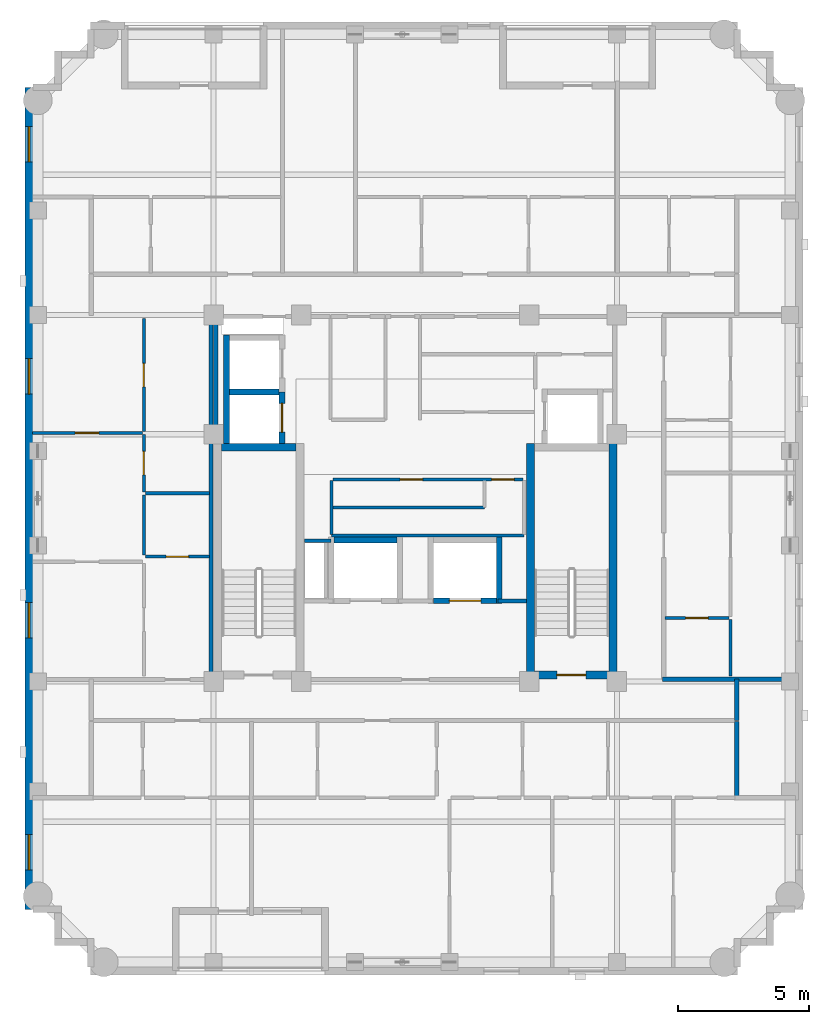
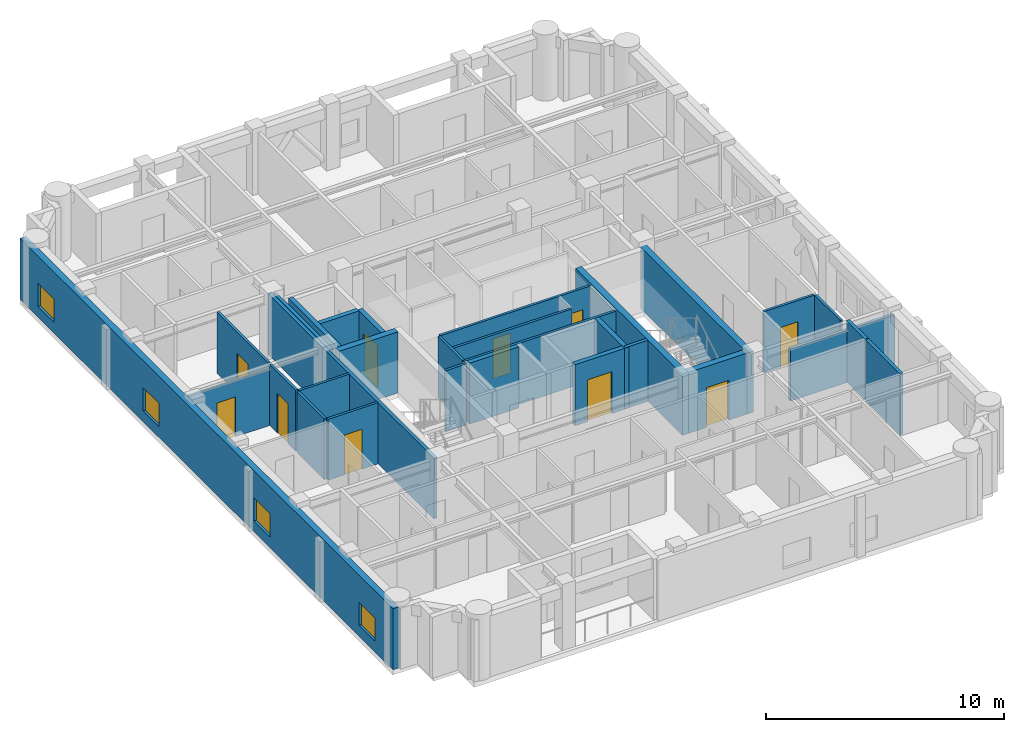
# One storey, part 4 of 10: 30 walls, 10 doors, 4 windows, 14 openings.
"""IFC4 building model written with IfcOpenShell, lengths in metres."""

from ifc_helpers import new_model, si_unit, derived_unit, direction, frame, frame_2d, origin, place, context, subcontext, project, spatial, rectangle, extrude, material, layer, layer_set, type_object, element, fill, save


model = new_model("IFC4")

# Units and contexts
model_context = context("Model", 3, precision=1e-05, world=origin(), true_north=direction((0.0, 1.0)))
body_context = subcontext(model_context, "Body", "Model", "MODEL_VIEW")
ifc_project = project(units=[si_unit("LENGTHUNIT", "METRE"), si_unit("AREAUNIT", "SQUARE_METRE"), si_unit("VOLUMEUNIT", "CUBIC_METRE"), si_unit("PLANEANGLEUNIT", "RADIAN"), si_unit("MASSUNIT", "GRAM", prefix="KILO"), derived_unit("THERMALTRANSMITTANCEUNIT", [(si_unit("MASSUNIT", "GRAM", prefix="KILO"), 1), (si_unit("TIMEUNIT", "SECOND"), -3), (si_unit("THERMODYNAMICTEMPERATUREUNIT", "KELVIN"), -1)])], contexts=[model_context])

# Site, building, storey
site_placement = place(None, origin())
site = spatial("IfcSite", under=ifc_project, at=site_placement, CompositionType="ELEMENT")
building_placement = place(site_placement, origin())
building = spatial("IfcBuilding", under=site, at=building_placement, Name="Korrvale Station Residences", CompositionType="ELEMENT")
storey_placement = place(building_placement, frame((0.0, 0.0, 220.699951171875)))
storey = spatial("IfcBuildingStorey", under=building, at=storey_placement, Name="L64", CompositionType="ELEMENT", Elevation=220.699951171875)

# Walls
ifc_material_1 = material(Name="Concrete C50/60", Category="concrete")
ifc_layer_1 = layer(ifc_material_1, 0.300048828125, Name="Concrete C50/60")
ifc_layer_set_1 = layer_set([ifc_layer_1], Name="Concrete C50/60")
wall_type_1 = type_object("IfcWallType", Name="WAL-CORE-300-C50", PredefinedType="SHEAR", material=ifc_layer_set_1)
wall_1_placement = place(storey_placement, frame((18.10009765625, 23.949951171875, 0.0), z_axis=(0.0, 0.0, 1.0), x_axis=(1.0, 0.0, 0.0)))
element("IfcWall", 1, at=wall_1_placement, inside=storey, type_object=wall_type_1, Name="L64 ST-1 Core Shear Wall North", PredefinedType="SHEAR", context=body_context, shape_type="SweptSolid", body=[
    extrude(rectangle(XDim=2.849853515625, YDim=0.300048828125, at=frame_2d((1.4248046875, 0.0))), origin(), (0.0, 0.0, 1.0), 3.14013671875),
])
for number, where, z_axis, x_axis, name in (
    (2, (29.89990234375, 15.10009765625, 0.0), (0.0, 0.0, 1.0), (0.0, 1.0, 0.0), "L64 ST-2 Core Shear Wall West"),
    (3, (33.050048828125, 15.10009765625, 0.0), (0.0, 0.0, 1.0), (0.0, 1.0, 0.0), "L64 ST-2 Core Shear Wall East"),
):
    element("IfcWall", number, at=place(storey_placement, frame(where, z_axis=z_axis, x_axis=x_axis)), inside=storey, type_object=wall_type_1, Name=name, PredefinedType="SHEAR", context=body_context, shape_type="SweptSolid", body=[
        extrude(rectangle(XDim=9.0, YDim=0.300048828125, at=frame_2d((4.5, 0.0))), origin(), (0.0, 0.0, 1.0), 3.14013671875),
    ])

# Wall, opening, door
wall_2_placement = place(storey_placement, frame((30.050048828125, 15.25, 0.0), z_axis=(0.0, 0.0, 1.0), x_axis=(1.0, 0.0, 0.0)))
wall_2 = element("IfcWall", 4, at=wall_2_placement, inside=storey, type_object=wall_type_1, Name="L64 ST-2 Core Shear Wall South", PredefinedType="SHEAR", context=body_context, shape_type="SweptSolid", body=[
    extrude(rectangle(XDim=2.849853515625, YDim=0.300048828125, at=frame_2d((1.4248046875, 0.0))), origin(), (0.0, 0.0, 1.0), 3.14013671875),
])
opening_1_placement = place(wall_2_placement, frame((0.860107421875, 0.0, 0.0)))
opening_1 = element("IfcOpeningElement", 5, at=opening_1_placement, cuts=wall_2, Name="Opening SD-1100", PredefinedType="OPENING", context=body_context, shape_type="SweptSolid", body=[
    extrude(rectangle(XDim=1.10009765625, YDim=2.050048828125, at=frame_2d((0.550048828125, 1.02490234375))), frame((0.0, 0.16015625, 0.0), z_axis=(0.0, -1.0, 0.0), x_axis=(1.0, 0.0, 0.0)), (0.0, 0.0, 1.0), 0.320068359375),
])
ifc_material_2 = material(Name="Hollow-metal fire-rated stair door with closer", Category="steel")
door_type_1 = type_object("IfcDoorType", Name="DR-STAIR-1100", OperationType="NOTDEFINED", PredefinedType="DOOR", material=ifc_material_2)
door_1_placement = place(opening_1_placement, origin())
door_1 = element("IfcDoor", 6, at=door_1_placement, inside=storey, type_object=door_type_1, Name="L64 ST-2 Exit Stair Door", OperationType="SINGLE_SWING_RIGHT", OverallHeight=2.050048828125, OverallWidth=1.10009765625, PredefinedType="DOOR", context=body_context, shape_type="SweptSolid", body=[
    extrude(rectangle(XDim=1.10009765625, YDim=2.050048828125, at=frame_2d((0.550048828125, 1.02490234375))), frame((0.0, 0.02490234375, 0.0), z_axis=(0.0, -1.0, 0.0), x_axis=(1.0, 0.0, 0.0)), (0.0, 0.0, 1.0), 0.050048828125),
])
fill(opening_1, door_1)

# Wall, openings, windows
ifc_material_3 = material(Name="Precast concrete C45/55", Category="concrete")
ifc_layer_2 = layer(ifc_material_3, 0.300048828125, Name="Precast concrete C45/55")
ifc_layer_set_2 = layer_set([ifc_layer_2], Name="Precast concrete C45/55")
wall_type_2 = type_object("IfcWallType", Name="WAL-EXT-PC300", PredefinedType="SOLIDWALL", material=ifc_layer_set_2)
wall_3_placement = place(storey_placement, frame((10.75, 6.300048828125, 0.0), z_axis=(0.0, 0.0, 1.0), x_axis=(0.0, 1.0, 0.0)))
wall_3 = element("IfcWall", 7, at=wall_3_placement, inside=storey, type_object=wall_type_2, Name="L64 West Exterior Precast Wall 1", PredefinedType="SOLIDWALL", context=body_context, shape_type="SweptSolid", body=[
    extrude(rectangle(XDim=31.39990234375, YDim=0.300048828125, at=frame_2d((15.699951171875, 0.0))), origin(), (0.0, 0.0, 1.0), 3.14013671875),
])
opening_2_placement = place(wall_3_placement, frame((1.50390625, 0.0, 0.550048828125)))
opening_2 = element("IfcOpeningElement", 8, at=opening_2_placement, cuts=wall_3, Name="Opening W-10", PredefinedType="OPENING", context=body_context, shape_type="SweptSolid", body=[
    extrude(rectangle(XDim=1.35009765625, YDim=1.199951171875, at=frame_2d((0.675048828125, 0.60009765625))), frame((0.0, 0.16015625, 0.0), z_axis=(0.0, -1.0, 0.0), x_axis=(1.0, 0.0, 0.0)), (0.0, 0.0, 1.0), 0.320068359375),
])
opening_3_placement = place(wall_3_placement, frame((28.5458984375, 0.0, 0.550048828125)))
opening_3 = element("IfcOpeningElement", 9, at=opening_3_placement, cuts=wall_3, Name="Opening W-10", PredefinedType="OPENING", context=body_context, shape_type="SweptSolid", body=[
    extrude(rectangle(XDim=1.35009765625, YDim=1.199951171875, at=frame_2d((0.675048828125, 0.60009765625))), frame((0.0, 0.16015625, 0.0), z_axis=(0.0, -1.0, 0.0), x_axis=(1.0, 0.0, 0.0)), (0.0, 0.0, 1.0), 0.320068359375),
])
opening_4_placement = place(wall_3_placement, frame((10.366943359375, 0.0, 0.550048828125)))
opening_4 = element("IfcOpeningElement", 10, at=opening_4_placement, cuts=wall_3, Name="Opening W-10", PredefinedType="OPENING", context=body_context, shape_type="SweptSolid", body=[
    extrude(rectangle(XDim=1.35009765625, YDim=1.199951171875, at=frame_2d((0.675048828125, 0.60009765625))), frame((0.0, 0.16015625, 0.0), z_axis=(0.0, -1.0, 0.0), x_axis=(1.0, 0.0, 0.0)), (0.0, 0.0, 1.0), 0.320068359375),
])
opening_5_placement = place(wall_3_placement, frame((19.68310546875, 0.0, 0.550048828125)))
opening_5 = element("IfcOpeningElement", 11, at=opening_5_placement, cuts=wall_3, Name="Opening W-10", PredefinedType="OPENING", context=body_context, shape_type="SweptSolid", body=[
    extrude(rectangle(XDim=1.35009765625, YDim=1.199951171875, at=frame_2d((0.675048828125, 0.60009765625))), frame((0.0, 0.16015625, 0.0), z_axis=(0.0, -1.0, 0.0), x_axis=(1.0, 0.0, 0.0)), (0.0, 0.0, 1.0), 0.320068359375),
])
ifc_material_4 = material(Name="Thermally broken aluminium frame with triple low-e glazing", Category="aluminium")
window_type = type_object("IfcWindowType", Name="WIN-W10", PartitioningType="SINGLE_PANEL", PredefinedType="WINDOW", material=ifc_material_4)
window_1_placement = place(opening_2_placement, origin())
window_1 = element("IfcWindow", 12, at=window_1_placement, inside=storey, type_object=window_type, Name="L64 Punched Window 01", OverallHeight=1.199951171875, OverallWidth=1.35009765625, PartitioningType="SINGLE_PANEL", PredefinedType="WINDOW", context=body_context, shape_type="SweptSolid", body=[
    extrude(rectangle(XDim=1.35009765625, YDim=1.199951171875, at=frame_2d((0.675048828125, 0.60009765625))), frame((0.0, 0.030029296875, 0.0), z_axis=(0.0, -1.0, 0.0), x_axis=(1.0, 0.0, 0.0)), (0.0, 0.0, 1.0), 0.06005859375),
])
fill(opening_2, window_1)
window_2_placement = place(opening_3_placement, origin())
window_2 = element("IfcWindow", 13, at=window_2_placement, inside=storey, type_object=window_type, Name="L64 Punched Window 06", OverallHeight=1.199951171875, OverallWidth=1.35009765625, PartitioningType="SINGLE_PANEL", PredefinedType="WINDOW", context=body_context, shape_type="SweptSolid", body=[
    extrude(rectangle(XDim=1.35009765625, YDim=1.199951171875, at=frame_2d((0.675048828125, 0.60009765625))), frame((0.0, 0.030029296875, 0.0), z_axis=(0.0, -1.0, 0.0), x_axis=(1.0, 0.0, 0.0)), (0.0, 0.0, 1.0), 0.06005859375),
])
fill(opening_3, window_2)
window_3_placement = place(opening_4_placement, origin())
window_3 = element("IfcWindow", 14, at=window_3_placement, inside=storey, type_object=window_type, Name="L64 Punched Window 09", OverallHeight=1.199951171875, OverallWidth=1.35009765625, PartitioningType="SINGLE_PANEL", PredefinedType="WINDOW", context=body_context, shape_type="SweptSolid", body=[
    extrude(rectangle(XDim=1.35009765625, YDim=1.199951171875, at=frame_2d((0.675048828125, 0.60009765625))), frame((0.0, 0.030029296875, 0.0), z_axis=(0.0, -1.0, 0.0), x_axis=(1.0, 0.0, 0.0)), (0.0, 0.0, 1.0), 0.06005859375),
])
fill(opening_4, window_3)
window_4_placement = place(opening_5_placement, origin())
window_4 = element("IfcWindow", 15, at=window_4_placement, inside=storey, type_object=window_type, Name="L64 Punched Window 10", OverallHeight=1.199951171875, OverallWidth=1.35009765625, PartitioningType="SINGLE_PANEL", PredefinedType="WINDOW", context=body_context, shape_type="SweptSolid", body=[
    extrude(rectangle(XDim=1.35009765625, YDim=1.199951171875, at=frame_2d((0.675048828125, 0.60009765625))), frame((0.0, 0.030029296875, 0.0), z_axis=(0.0, -1.0, 0.0), x_axis=(1.0, 0.0, 0.0)), (0.0, 0.0, 1.0), 0.06005859375),
])
fill(opening_5, window_4)

# Walls
ifc_material_5 = material(Name="Acoustic steel-stud gypsum board partition", Category="steel")
ifc_layer_3 = layer(ifc_material_5, 0.1201171875, Name="Acoustic steel-stud gypsum board partition")
ifc_layer_set_3 = layer_set([ifc_layer_3], Name="Acoustic steel-stud gypsum board partition")
wall_type_3 = type_object("IfcWallType", Name="WAL-PART-125", PredefinedType="PARTITIONING", material=ifc_layer_set_3)
wall_4_placement = place(storey_placement, frame((22.280029296875, 20.3798828125, 0.0), z_axis=(0.0, 0.0, 1.0), x_axis=(-1.0, 0.0, 0.0)))
element("IfcWall", 16, at=wall_4_placement, inside=storey, type_object=wall_type_3, Name="L64 Core Partition CW-RSWT-N", PredefinedType="PARTITIONING", context=body_context, shape_type="SweptSolid", body=[
    extrude(rectangle(XDim=1.02001953125, YDim=0.1201171875, at=frame_2d((0.510009765625, 0.0))), origin(), (0.0, 0.0, 1.0), 3.14013671875),
])
wall_5_placement = place(storey_placement, frame((22.300048828125, 20.580078125, 0.0), z_axis=(0.0, 0.0, 1.0), x_axis=(1.0, 0.0, 0.0)))
element("IfcWall", 17, at=wall_5_placement, inside=storey, type_object=wall_type_3, Name="L64 Core Partition CW-FPM-S", PredefinedType="PARTITIONING", context=body_context, shape_type="SweptSolid", body=[
    extrude(rectangle(XDim=7.349853515625, YDim=0.1201171875, at=frame_2d((3.6748046875, 0.0))), origin(), (0.0, 0.0, 1.0), 3.14013671875),
])
wall_6_placement = place(storey_placement, frame((22.300048828125, 20.6201171875, 0.0), z_axis=(0.0, 0.0, 1.0), x_axis=(0.0, 1.0, 0.0)))
element("IfcWall", 18, at=wall_6_placement, inside=storey, type_object=wall_type_3, Name="L64 Core Partition CW-FPM-W", PredefinedType="PARTITIONING", context=body_context, shape_type="SweptSolid", body=[
    extrude(rectangle(XDim=2.059814453125, YDim=0.1201171875, at=frame_2d((1.02978515625, 0.0))), origin(), (0.0, 0.0, 1.0), 3.14013671875),
])
wall_7_placement = place(storey_placement, frame((22.35009765625, 21.64990234375, 0.0), z_axis=(0.0, 0.0, 1.0), x_axis=(1.0, 0.0, 0.0)))
element("IfcWall", 19, at=wall_7_placement, inside=storey, type_object=wall_type_3, Name="L64 Core Partition CW-FPM-H1", PredefinedType="PARTITIONING", context=body_context, shape_type="SweptSolid", body=[
    extrude(rectangle(XDim=5.789794921875, YDim=0.1201171875, at=frame_2d((2.89501953125, 0.0))), origin(), (0.0, 0.0, 1.0), 3.14013671875),
])

# Wall, openings, doors
wall_8_placement = place(storey_placement, frame((22.35009765625, 22.719970703125, 0.0), z_axis=(0.0, 0.0, 1.0), x_axis=(1.0, 0.0, 0.0)))
wall_8 = element("IfcWall", 20, at=wall_8_placement, inside=storey, type_object=wall_type_3, Name="L64 Core Partition CW-FPM-N", PredefinedType="PARTITIONING", context=body_context, shape_type="SweptSolid", body=[
    extrude(rectangle(XDim=7.27001953125, YDim=0.1201171875, at=frame_2d((3.635009765625, 0.0))), origin(), (0.0, 0.0, 1.0), 3.14013671875),
])
opening_6_placement = place(wall_8_placement, frame((2.570068359375, 0.0, 0.0)))
opening_6 = element("IfcOpeningElement", 21, at=opening_6_placement, cuts=wall_8, Name="Opening DB-860", PredefinedType="OPENING", context=body_context, shape_type="SweptSolid", body=[
    extrude(rectangle(XDim=0.860107421875, YDim=2.050048828125, at=frame_2d((0.43017578125, 1.02490234375))), frame((0.0, 0.070068359375, 0.0), z_axis=(0.0, -1.0, 0.0), x_axis=(1.0, 0.0, 0.0)), (0.0, 0.0, 1.0), 0.14013671875),
])
opening_7_placement = place(wall_8_placement, frame((6.06005859375, 0.0, 0.0)))
opening_7 = element("IfcOpeningElement", 22, at=opening_7_placement, cuts=wall_8, Name="Opening DB-860", PredefinedType="OPENING", context=body_context, shape_type="SweptSolid", body=[
    extrude(rectangle(XDim=0.860107421875, YDim=2.050048828125, at=frame_2d((0.43017578125, 1.02490234375))), frame((0.0, 0.070068359375, 0.0), z_axis=(0.0, -1.0, 0.0), x_axis=(1.0, 0.0, 0.0)), (0.0, 0.0, 1.0), 0.14013671875),
])
ifc_material_6 = material(Name="Moisture-resistant solid-core bathroom door", Category="timber")
door_type_2 = type_object("IfcDoorType", Name="DR-BATH-860", OperationType="NOTDEFINED", PredefinedType="DOOR", material=ifc_material_6)
door_2_placement = place(opening_6_placement, origin())
door_2 = element("IfcDoor", 23, at=door_2_placement, inside=storey, type_object=door_type_2, Name="L64 Sky Pantry Door", OperationType="SINGLE_SWING_LEFT", OverallHeight=2.050048828125, OverallWidth=0.860107421875, PredefinedType="DOOR", context=body_context, shape_type="SweptSolid", body=[
    extrude(rectangle(XDim=0.860107421875, YDim=2.050048828125, at=frame_2d((0.43017578125, 1.02490234375))), frame((0.0, 0.02490234375, 0.0), z_axis=(0.0, -1.0, 0.0), x_axis=(1.0, 0.0, 0.0)), (0.0, 0.0, 1.0), 0.050048828125),
])
fill(opening_6, door_2)
door_3_placement = place(opening_7_placement, origin())
door_3 = element("IfcDoor", 24, at=door_3_placement, inside=storey, type_object=door_type_2, Name="L64 Tableware Store Door", OperationType="SINGLE_SWING_RIGHT", OverallHeight=2.050048828125, OverallWidth=0.860107421875, PredefinedType="DOOR", context=body_context, shape_type="SweptSolid", body=[
    extrude(rectangle(XDim=0.860107421875, YDim=2.050048828125, at=frame_2d((0.43017578125, 1.02490234375))), frame((0.0, 0.02490234375, 0.0), z_axis=(0.0, -1.0, 0.0), x_axis=(1.0, 0.0, 0.0)), (0.0, 0.0, 1.0), 0.050048828125),
])
fill(opening_7, door_3)

# Wall
wall_9_placement = place(storey_placement, frame((15.18994140625, 22.18994140625, 0.0), z_axis=(0.0, 0.0, 1.0), x_axis=(1.0, 0.0, 0.0)))
element("IfcWall", 25, at=wall_9_placement, inside=storey, type_object=wall_type_3, Name="L64 Suite Partition U06-H01", PredefinedType="PARTITIONING", context=body_context, shape_type="SweptSolid", body=[
    extrude(rectangle(XDim=2.449951171875, YDim=0.1201171875, at=frame_2d((1.22509765625, 0.0))), origin(), (0.0, 0.0, 1.0), 3.14013671875),
])

# Wall, opening, door
wall_10_placement = place(storey_placement, frame((15.1298828125, 22.25, 0.0), z_axis=(0.0, 0.0, 1.0), x_axis=(0.0, 1.0, 0.0)))
wall_10 = element("IfcWall", 26, at=wall_10_placement, inside=storey, type_object=wall_type_3, Name="L64 Suite Partition U06-V04", PredefinedType="PARTITIONING", context=body_context, shape_type="SweptSolid", body=[
    extrude(rectangle(XDim=2.181884765625, YDim=0.1201171875, at=frame_2d((1.0908203125, 0.0))), origin(), (0.0, 0.0, 1.0), 3.14013671875),
])
opening_8_placement = place(wall_10_placement, frame((0.64111328125, 0.0, 0.0)))
opening_8 = element("IfcOpeningElement", 27, at=opening_8_placement, cuts=wall_10, Name="Opening DI-900", PredefinedType="OPENING", context=body_context, shape_type="SweptSolid", body=[
    extrude(rectangle(XDim=0.89990234375, YDim=2.050048828125, at=frame_2d((0.449951171875, 1.02490234375))), frame((0.0, 0.070068359375, 0.0), z_axis=(0.0, -1.0, 0.0), x_axis=(1.0, 0.0, 0.0)), (0.0, 0.0, 1.0), 0.14013671875),
])
ifc_material_7 = material(Name="Painted solid-core timber interior room door", Category="wood")
door_type_3 = type_object("IfcDoorType", Name="DR-INT-900", OperationType="NOTDEFINED", PredefinedType="DOOR", material=ifc_material_7)
door_4_placement = place(opening_8_placement, origin())
door_4 = element("IfcDoor", 28, at=door_4_placement, inside=storey, type_object=door_type_3, Name="L64 Apartment 2BR L64-U06 Wardrobe Storage Room Door", OperationType="SINGLE_SWING_RIGHT", OverallHeight=2.050048828125, OverallWidth=0.89990234375, PredefinedType="DOOR", context=body_context, shape_type="SweptSolid", body=[
    extrude(rectangle(XDim=0.89990234375, YDim=2.050048828125, at=frame_2d((0.449951171875, 1.02490234375))), frame((0.0, 0.02490234375, 0.0), z_axis=(0.0, -1.0, 0.0), x_axis=(1.0, 0.0, 0.0)), (0.0, 0.0, 1.0), 0.050048828125),
])
fill(opening_8, door_4)

wall_11_placement = place(storey_placement, frame((15.1298828125, 24.552001953125, 0.0), z_axis=(0.0, 0.0, 1.0), x_axis=(0.0, 1.0, 0.0)))
wall_11 = element("IfcWall", 29, at=wall_11_placement, inside=storey, type_object=wall_type_3, Name="L64 Suite Partition U06-V05", PredefinedType="PARTITIONING", context=body_context, shape_type="SweptSolid", body=[
    extrude(rectangle(XDim=4.30810546875, YDim=0.1201171875, at=frame_2d((2.154052734375, 0.0))), origin(), (0.0, 0.0, 1.0), 3.14013671875),
])
opening_9_placement = place(wall_11_placement, frame((1.7041015625, 0.0, 0.0)))
opening_9 = element("IfcOpeningElement", 30, at=opening_9_placement, cuts=wall_11, Name="Opening DI-900", PredefinedType="OPENING", context=body_context, shape_type="SweptSolid", body=[
    extrude(rectangle(XDim=0.89990234375, YDim=2.050048828125, at=frame_2d((0.449951171875, 1.02490234375))), frame((0.0, 0.070068359375, 0.0), z_axis=(0.0, -1.0, 0.0), x_axis=(1.0, 0.0, 0.0)), (0.0, 0.0, 1.0), 0.14013671875),
])
door_5_placement = place(opening_9_placement, origin())
door_5 = element("IfcDoor", 31, at=door_5_placement, inside=storey, type_object=door_type_3, Name="L64 Apartment 2BR L64-U06 Wardrobe Storage Room Door", OperationType="SINGLE_SWING_LEFT", OverallHeight=2.050048828125, OverallWidth=0.89990234375, PredefinedType="DOOR", context=body_context, shape_type="SweptSolid", body=[
    extrude(rectangle(XDim=0.89990234375, YDim=2.050048828125, at=frame_2d((0.449951171875, 1.02490234375))), frame((0.0, 0.02490234375, 0.0), z_axis=(0.0, -1.0, 0.0), x_axis=(1.0, 0.0, 0.0)), (0.0, 0.0, 1.0), 0.050048828125),
])
fill(opening_9, door_5)

wall_12_placement = place(storey_placement, frame((15.18994140625, 19.77001953125, 0.0), z_axis=(0.0, 0.0, 1.0), x_axis=(1.0, 0.0, 0.0)))
wall_12 = element("IfcWall", 32, at=wall_12_placement, inside=storey, type_object=wall_type_3, Name="L64 Suite Partition U06-H12", PredefinedType="PARTITIONING", context=body_context, shape_type="SweptSolid", body=[
    extrude(rectangle(XDim=2.449951171875, YDim=0.1201171875, at=frame_2d((1.22509765625, 0.0))), origin(), (0.0, 0.0, 1.0), 3.14013671875),
])
opening_10_placement = place(wall_12_placement, frame((0.794921875, 0.0, 0.0)))
opening_10 = element("IfcOpeningElement", 33, at=opening_10_placement, cuts=wall_12, Name="Opening DB-860", PredefinedType="OPENING", context=body_context, shape_type="SweptSolid", body=[
    extrude(rectangle(XDim=0.860107421875, YDim=2.050048828125, at=frame_2d((0.43017578125, 1.02490234375))), frame((0.0, 0.070068359375, 0.0), z_axis=(0.0, -1.0, 0.0), x_axis=(1.0, 0.0, 0.0)), (0.0, 0.0, 1.0), 0.14013671875),
])
door_6_placement = place(opening_10_placement, origin())
door_6 = element("IfcDoor", 34, at=door_6_placement, inside=storey, type_object=door_type_2, Name="L64 Apartment 2BR L64-U06 Bathroom Door", OperationType="SINGLE_SWING_RIGHT", OverallHeight=2.050048828125, OverallWidth=0.860107421875, PredefinedType="DOOR", context=body_context, shape_type="SweptSolid", body=[
    extrude(rectangle(XDim=0.860107421875, YDim=2.050048828125, at=frame_2d((0.43017578125, 1.02490234375))), frame((0.0, 0.02490234375, 0.0), z_axis=(0.0, -1.0, 0.0), x_axis=(1.0, 0.0, 0.0)), (0.0, 0.0, 1.0), 0.050048828125),
])
fill(opening_10, door_6)

# Wall
wall_13_placement = place(storey_placement, frame((15.1298828125, 19.830078125, 0.0), z_axis=(0.0, 0.0, 1.0), x_axis=(0.0, 1.0, 0.0)))
element("IfcWall", 35, at=wall_13_placement, inside=storey, type_object=wall_type_3, Name="L64 Suite Partition U06-V14", PredefinedType="PARTITIONING", context=body_context, shape_type="SweptSolid", body=[
    extrude(rectangle(XDim=2.2998046875, YDim=0.1201171875, at=frame_2d((1.14990234375, 0.0))), origin(), (0.0, 0.0, 1.0), 3.14013671875),
])

# Wall, opening, door
wall_14_placement = place(storey_placement, frame((10.8798828125, 24.491943359375, 0.0), z_axis=(0.0, 0.0, 1.0), x_axis=(1.0, 0.0, 0.0)))
wall_14 = element("IfcWall", 36, at=wall_14_placement, inside=storey, type_object=wall_type_3, Name="L64 Suite Partition U06-H45", PredefinedType="PARTITIONING", context=body_context, shape_type="SweptSolid", body=[
    extrude(rectangle(XDim=4.190185546875, YDim=0.1201171875, at=frame_2d((2.09521484375, 0.0))), origin(), (0.0, 0.0, 1.0), 2.8779296875),
])
opening_11_placement = place(wall_14_placement, frame((1.6298828125, 0.0, 0.0)))
opening_11 = element("IfcOpeningElement", 37, at=opening_11_placement, cuts=wall_14, Name="Opening DI-900", PredefinedType="OPENING", context=body_context, shape_type="SweptSolid", body=[
    extrude(rectangle(XDim=0.89990234375, YDim=2.050048828125, at=frame_2d((0.449951171875, 1.02490234375))), frame((0.0, 0.070068359375, 0.0), z_axis=(0.0, -1.0, 0.0), x_axis=(1.0, 0.0, 0.0)), (0.0, 0.0, 1.0), 0.14013671875),
])
door_7_placement = place(opening_11_placement, origin())
door_7 = element("IfcDoor", 38, at=door_7_placement, inside=storey, type_object=door_type_3, Name="L64 Apartment 2BR L64-U06 Living and Dining Room Door", OperationType="SINGLE_SWING_LEFT", OverallHeight=2.050048828125, OverallWidth=0.89990234375, PredefinedType="DOOR", context=body_context, shape_type="SweptSolid", body=[
    extrude(rectangle(XDim=0.89990234375, YDim=2.050048828125, at=frame_2d((0.449951171875, 1.02490234375))), frame((0.0, 0.02490234375, 0.0), z_axis=(0.0, -1.0, 0.0), x_axis=(1.0, 0.0, 0.0)), (0.0, 0.0, 1.0), 0.050048828125),
])
fill(opening_11, door_7)

wall_15_placement = place(storey_placement, frame((35.030029296875, 17.428955078125, 0.0), z_axis=(0.0, 0.0, 1.0), x_axis=(1.0, 0.0, 0.0)))
wall_15 = element("IfcWall", 39, at=wall_15_placement, inside=storey, type_object=wall_type_3, Name="L64 Suite Partition U07-H01", PredefinedType="PARTITIONING", context=body_context, shape_type="SweptSolid", body=[
    extrude(rectangle(XDim=2.449951171875, YDim=0.1201171875, at=frame_2d((1.22509765625, 0.0))), origin(), (0.0, 0.0, 1.0), 3.14013671875),
])
opening_12_placement = place(wall_15_placement, frame((0.794921875, 0.0, 0.0)))
opening_12 = element("IfcOpeningElement", 40, at=opening_12_placement, cuts=wall_15, Name="Opening DB-860", PredefinedType="OPENING", context=body_context, shape_type="SweptSolid", body=[
    extrude(rectangle(XDim=0.860107421875, YDim=2.050048828125, at=frame_2d((0.43017578125, 1.02490234375))), frame((0.0, 0.070068359375, 0.0), z_axis=(0.0, -1.0, 0.0), x_axis=(1.0, 0.0, 0.0)), (0.0, 0.0, 1.0), 0.14013671875),
])
door_8_placement = place(opening_12_placement, origin())
door_8 = element("IfcDoor", 41, at=door_8_placement, inside=storey, type_object=door_type_2, Name="L64 Studio Apartment L64-U07 Bathroom Door", OperationType="SINGLE_SWING_RIGHT", OverallHeight=2.050048828125, OverallWidth=0.860107421875, PredefinedType="DOOR", context=body_context, shape_type="SweptSolid", body=[
    extrude(rectangle(XDim=0.860107421875, YDim=2.050048828125, at=frame_2d((0.43017578125, 1.02490234375))), frame((0.0, 0.02490234375, 0.0), z_axis=(0.0, -1.0, 0.0), x_axis=(1.0, 0.0, 0.0)), (0.0, 0.0, 1.0), 0.050048828125),
])
fill(opening_12, door_8)

# Walls
wall_16_placement = place(storey_placement, frame((37.5400390625, 15.2099609375, 0.0), z_axis=(0.0, 0.0, 1.0), x_axis=(0.0, 1.0, 0.0)))
element("IfcWall", 42, at=wall_16_placement, inside=storey, type_object=wall_type_3, Name="L64 Suite Partition U07-V02", PredefinedType="PARTITIONING", context=body_context, shape_type="SweptSolid", body=[
    extrude(rectangle(XDim=2.158935546875, YDim=0.1201171875, at=frame_2d((1.07958984375, 0.0))), origin(), (0.0, 0.0, 1.0), 3.14013671875),
])
ifc_material_8 = material(Name="Fire-rated twin-stud gypsum and mineral wool shaftwall assembly", Category="gypsum")
ifc_layer_4 = layer(ifc_material_8, 0.159912109375, Name="Fire-rated twin-stud gypsum and mineral wool shaftwall assembly")
ifc_layer_set_4 = layer_set([ifc_layer_4], Name="Fire-rated twin-stud gypsum and mineral wool shaftwall assembly")
wall_type_4 = type_object("IfcWallType", Name="WAL-PART-200", PredefinedType="PARTITIONING", material=ifc_layer_set_4)
wall_17_placement = place(storey_placement, frame((28.64990234375, 18.080078125, 0.0), z_axis=(0.0, 0.0, 1.0), x_axis=(1.0, 0.0, 0.0)))
element("IfcWall", 43, at=wall_17_placement, inside=storey, type_object=wall_type_4, Name="L64 Core Partition CW-FFL-N3", PredefinedType="PARTITIONING", context=body_context, shape_type="SweptSolid", body=[
    extrude(rectangle(XDim=1.10009765625, YDim=0.159912109375, at=frame_2d((0.550048828125, 0.0))), origin(), (0.0, 0.0, 1.0), 3.14013671875),
])
wall_18_placement = place(storey_placement, frame((17.8798828125, 24.1201171875, 0.0), z_axis=(0.0, 0.0, 1.0), x_axis=(0.0, 1.0, 0.0)))
element("IfcWall", 44, at=wall_18_placement, inside=storey, type_object=wall_type_4, Name="L64 Core Partition CW-W-N", PredefinedType="PARTITIONING", context=body_context, shape_type="SweptSolid", body=[
    extrude(rectangle(XDim=4.759765625, YDim=0.159912109375, at=frame_2d((2.3798828125, 0.0))), origin(), (0.0, 0.0, 1.0), 3.14013671875),
])
wall_19_placement = place(storey_placement, frame((37.780029296875, 13.510009765625, 0.0), z_axis=(0.0, 0.0, 1.0), x_axis=(0.0, 1.0, 0.0)))
element("IfcWall", 45, at=wall_19_placement, inside=storey, type_object=wall_type_4, Name="L64 Corridor South East Cap", PredefinedType="PARTITIONING", context=body_context, shape_type="SweptSolid", body=[
    extrude(rectangle(XDim=1.580078125, YDim=0.159912109375, at=frame_2d((0.7900390625, 0.0))), origin(), (0.0, 0.0, 1.0), 3.14013671875),
])
wall_20_placement = place(storey_placement, frame((34.949951171875, 15.090087890625, 0.0), z_axis=(0.0, 0.0, 1.0), x_axis=(1.0, 0.0, 0.0)))
element("IfcWall", 46, at=wall_20_placement, inside=storey, type_object=wall_type_4, Name="L64 East Wing South Corridor Wall", PredefinedType="PARTITIONING", context=body_context, shape_type="SweptSolid", body=[
    extrude(rectangle(XDim=5.070068359375, YDim=0.159912109375, at=frame_2d((2.53515625, 0.0))), origin(), (0.0, 0.0, 1.0), 2.66796875),
])
wall_21_placement = place(storey_placement, frame((37.780029296875, 10.56005859375, 0.0), z_axis=(0.0, 0.0, 1.0), x_axis=(0.0, 1.0, 0.0)))
element("IfcWall", 47, at=wall_21_placement, inside=storey, type_object=wall_type_4, Name="L64 Corner Step Cheek U02-R", PredefinedType="PARTITIONING", context=body_context, shape_type="SweptSolid", body=[
    extrude(rectangle(XDim=2.909912109375, YDim=0.159912109375, at=frame_2d((1.455078125, 0.0))), origin(), (0.0, 0.0, 1.0), 3.14013671875),
])
wall_22_placement = place(storey_placement, frame((17.699951171875, 15.02001953125, 0.0), z_axis=(0.0, 0.0, 1.0), x_axis=(0.0, 1.0, 0.0)))
element("IfcWall", 48, at=wall_22_placement, inside=storey, type_object=wall_type_4, Name="L64 Rated Corridor Wall W", PredefinedType="PARTITIONING", context=body_context, shape_type="SweptSolid", body=[
    extrude(rectangle(XDim=13.97998046875, YDim=0.159912109375, at=frame_2d((6.989990234375, 0.0))), origin(), (0.0, 0.0, 1.0), 3.14013671875),
])
ifc_layer_5 = layer(ifc_material_1, 0.219970703125, Name="Concrete C50/60")
ifc_layer_set_5 = layer_set([ifc_layer_5], Name="Concrete C50/60")
wall_type_5 = type_object("IfcWallType", Name="WAL-SHAFT-220-C50", PredefinedType="SHEAR", material=ifc_layer_set_5)
wall_23_placement = place(storey_placement, frame((18.2900390625, 24.10009765625, 0.0), z_axis=(0.0, 0.0, 1.0), x_axis=(0.0, 1.0, 0.0)))
element("IfcWall", 49, at=wall_23_placement, inside=storey, type_object=wall_type_5, Name="L64 Elevator PH-1 Hoistway Wall West", PredefinedType="SHEAR", context=body_context, shape_type="SweptSolid", body=[
    extrude(rectangle(XDim=4.139892578125, YDim=0.219970703125, at=frame_2d((2.06982421875, 0.0))), origin(), (0.0, 0.0, 1.0), 3.14013671875),
])

# Wall, opening, door
wall_24_placement = place(storey_placement, frame((20.409912109375, 24.10009765625, 0.0), z_axis=(0.0, 0.0, 1.0), x_axis=(0.0, 1.0, 0.0)))
wall_24 = element("IfcWall", 50, at=wall_24_placement, inside=storey, type_object=wall_type_5, Name="L64 Elevator PH-1 Hoistway Wall East", PredefinedType="SHEAR", context=body_context, shape_type="SweptSolid", body=[
    extrude(rectangle(XDim=1.9599609375, YDim=0.219970703125, at=frame_2d((0.97998046875, 0.0))), origin(), (0.0, 0.0, 1.0), 3.14013671875),
])
opening_13_placement = place(wall_24_placement, frame((0.429931640625, 0.0, 0.0)))
opening_13 = element("IfcOpeningElement", 51, at=opening_13_placement, cuts=wall_24, Name="Opening LD-1100", PredefinedType="OPENING", context=body_context, shape_type="SweptSolid", body=[
    extrude(rectangle(XDim=1.10009765625, YDim=2.14990234375, at=frame_2d((0.550048828125, 1.074951171875))), frame((0.0, 0.1201171875, 0.0), z_axis=(0.0, -1.0, 0.0), x_axis=(1.0, 0.0, 0.0)), (0.0, 0.0, 1.0), 0.239990234375),
])
ifc_material_9 = material(Name="Brushed stainless-steel elevator landing sliding door", Category="steel")
door_type_4 = type_object("IfcDoorType", Name="DR-LIFT-1100", OperationType="SLIDING_TO_LEFT", PredefinedType="DOOR", material=ifc_material_9)
door_9_placement = place(opening_13_placement, origin())
door_9 = element("IfcDoor", 52, at=door_9_placement, inside=storey, type_object=door_type_4, Name="L64 Elevator PH-1 Sliding Landing Door", OperationType="SLIDING_TO_LEFT", OverallHeight=2.14990234375, OverallWidth=1.10009765625, PredefinedType="DOOR", context=body_context, shape_type="SweptSolid", body=[
    extrude(rectangle(XDim=1.10009765625, YDim=2.14990234375, at=frame_2d((0.550048828125, 1.074951171875))), frame((0.0, 0.02490234375, 0.0), z_axis=(0.0, -1.0, 0.0), x_axis=(1.0, 0.0, 0.0)), (0.0, 0.0, 1.0), 0.050048828125),
])
fill(opening_13, door_9)

# Walls
wall_25_placement = place(storey_placement, frame((18.39990234375, 26.06005859375, 0.0), z_axis=(0.0, 0.0, 1.0), x_axis=(1.0, 0.0, 0.0)))
element("IfcWall", 53, at=wall_25_placement, inside=storey, type_object=wall_type_5, Name="L64 Elevator PH-2 Hoistway Wall South", PredefinedType="SHEAR", context=body_context, shape_type="SweptSolid", body=[
    extrude(rectangle(XDim=1.900146484375, YDim=0.219970703125, at=frame_2d((0.9501953125, 0.0))), origin(), (0.0, 0.0, 1.0), 3.14013671875),
])
wall_26_placement = place(storey_placement, frame((22.39990234375, 20.409912109375, 0.0), z_axis=(0.0, 0.0, 1.0), x_axis=(1.0, 0.0, 0.0)))
element("IfcWall", 54, at=wall_26_placement, inside=storey, type_object=wall_type_5, Name="L64 Elevator FFL-1 Hoistway Wall North", PredefinedType="SHEAR", context=body_context, shape_type="SweptSolid", body=[
    extrude(rectangle(XDim=2.400146484375, YDim=0.219970703125, at=frame_2d((1.2001953125, 0.0))), origin(), (0.0, 0.0, 1.0), 3.14013671875),
])

# Wall, opening, door
wall_27_placement = place(storey_placement, frame((26.199951171875, 18.090087890625, 0.0), z_axis=(0.0, 0.0, 1.0), x_axis=(1.0, 0.0, 0.0)))
wall_27 = element("IfcWall", 55, at=wall_27_placement, inside=storey, type_object=wall_type_5, Name="L64 Elevator FFL-2 Hoistway Wall South", PredefinedType="SHEAR", context=body_context, shape_type="SweptSolid", body=[
    extrude(rectangle(XDim=2.400146484375, YDim=0.219970703125, at=frame_2d((1.2001953125, 0.0))), origin(), (0.0, 0.0, 1.0), 3.14013671875),
])
opening_14_placement = place(wall_27_placement, frame((0.60009765625, 0.0, 0.0)))
opening_14 = element("IfcOpeningElement", 56, at=opening_14_placement, cuts=wall_27, Name="Opening LD-FF1200", PredefinedType="OPENING", context=body_context, shape_type="SweptSolid", body=[
    extrude(rectangle(XDim=1.199951171875, YDim=2.14990234375, at=frame_2d((0.60009765625, 1.074951171875))), frame((0.0, 0.1201171875, 0.0), z_axis=(0.0, -1.0, 0.0), x_axis=(1.0, 0.0, 0.0)), (0.0, 0.0, 1.0), 0.239990234375),
])
ifc_material_10 = material(Name="Stainless-steel firefighter elevator landing sliding door", Category="steel")
door_type_5 = type_object("IfcDoorType", Name="DR-LIFT-FF1200", OperationType="SLIDING_TO_LEFT", PredefinedType="DOOR", material=ifc_material_10)
door_10_placement = place(opening_14_placement, origin())
door_10 = element("IfcDoor", 57, at=door_10_placement, inside=storey, type_object=door_type_5, Name="L64 Elevator FFL-2 Sliding Landing Door", OperationType="SLIDING_TO_LEFT", OverallHeight=2.14990234375, OverallWidth=1.199951171875, PredefinedType="DOOR", context=body_context, shape_type="SweptSolid", body=[
    extrude(rectangle(XDim=1.199951171875, YDim=2.14990234375, at=frame_2d((0.60009765625, 1.074951171875))), frame((0.0, 0.02490234375, 0.0), z_axis=(0.0, -1.0, 0.0), x_axis=(1.0, 0.0, 0.0)), (0.0, 0.0, 1.0), 0.050048828125),
])
fill(opening_14, door_10)

# Wall
wall_28_placement = place(storey_placement, frame((28.7099609375, 17.97998046875, 0.0), z_axis=(0.0, 0.0, 1.0), x_axis=(0.0, 1.0, 0.0)))
element("IfcWall", 58, at=wall_28_placement, inside=storey, type_object=wall_type_5, Name="L64 Elevator FFL-2 Hoistway Wall East", PredefinedType="SHEAR", context=body_context, shape_type="SweptSolid", body=[
    extrude(rectangle(XDim=2.5400390625, YDim=0.219970703125, at=frame_2d((1.27001953125, 0.0))), origin(), (0.0, 0.0, 1.0), 3.14013671875),
])

save(model, "model.ifc")
